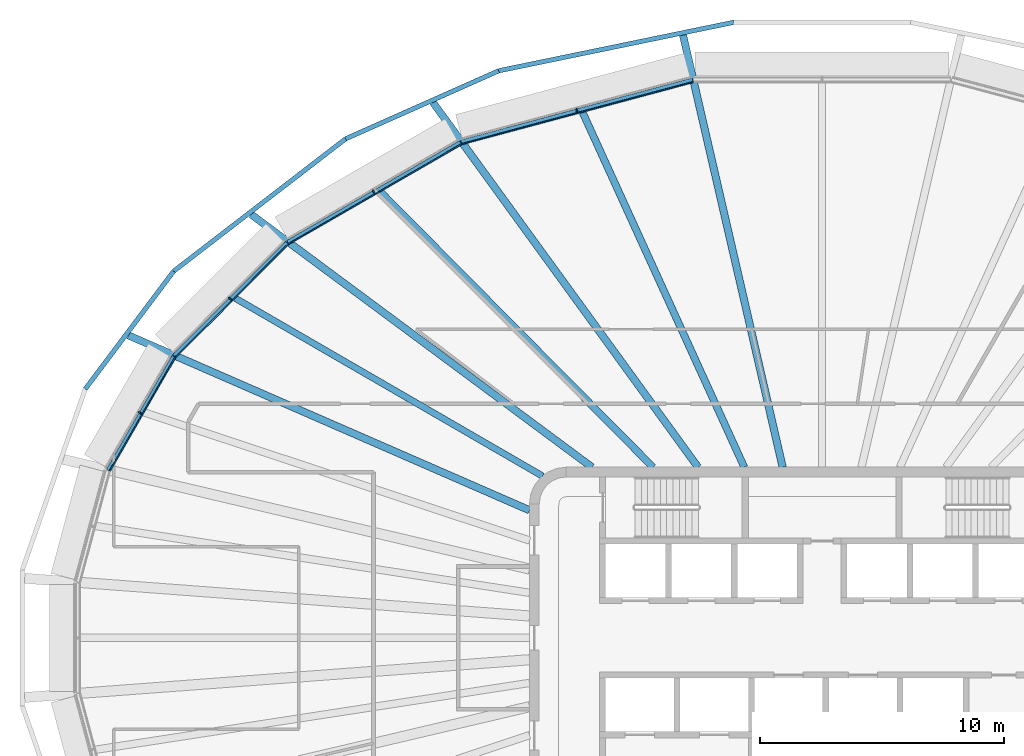
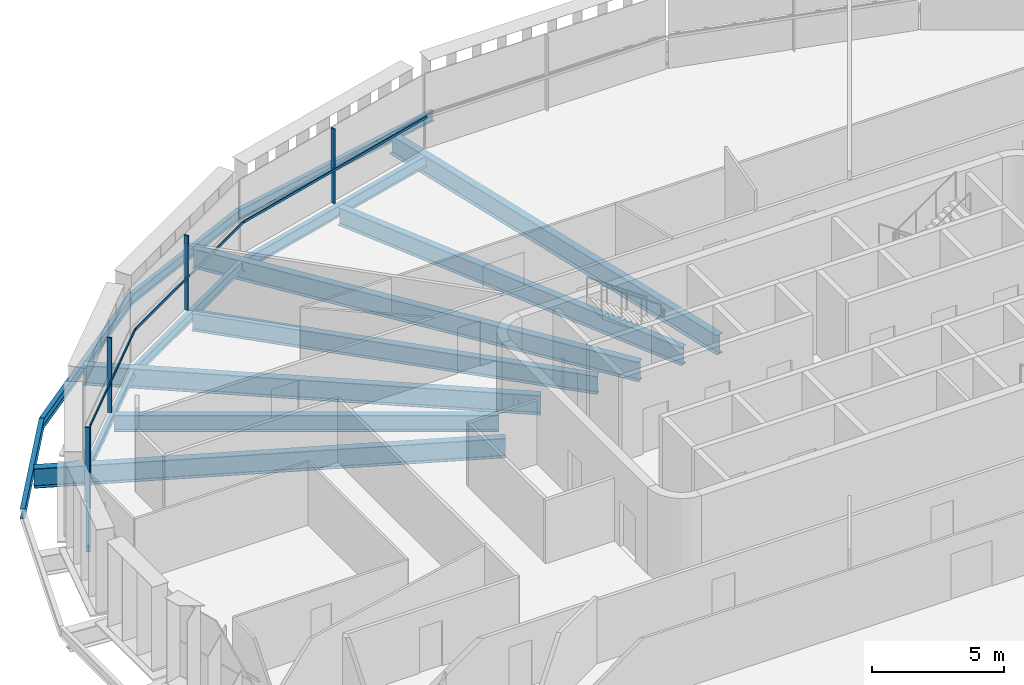
# One storey, part 5 of 20: 15 beams, 8 members, 4 elements without a shape of their own.
"""IFC4 building model written with IfcOpenShell, lengths in metres."""

from ifc_helpers import new_model, si_unit, direction, frame, origin, origin_2d, place, context, subcontext, project, spatial, rectangle, i_section, extrude, material, layer, layer_set, material_profile, profile_set, type_object, element, aggregate, save


model = new_model("IFC4")

# Units and contexts
model_context = context("Model", 3, precision=1e-05, world=origin(), true_north=direction((0.0, 1.0)))
body_context = subcontext(model_context, "Body", "Model", "MODEL_VIEW")
ifc_project = project(units=[si_unit("LENGTHUNIT", "METRE"), si_unit("AREAUNIT", "SQUARE_METRE"), si_unit("VOLUMEUNIT", "CUBIC_METRE"), si_unit("PLANEANGLEUNIT", "RADIAN"), si_unit("MASSUNIT", "GRAM", prefix="KILO")], contexts=[model_context])

# Site, building, storey
site_placement = place(None, origin())
site = spatial("IfcSite", under=ifc_project, at=site_placement, CompositionType="ELEMENT")
building_placement = place(site_placement, origin())
building = spatial("IfcBuilding", under=site, at=building_placement, Name="Sahrelin Media Tower", CompositionType="ELEMENT")
storey_placement = place(building_placement, frame((0.0, 0.0, 209.60009765625)))
storey = spatial("IfcBuildingStorey", under=building, at=storey_placement, Name="L44", CompositionType="ELEMENT", Elevation=209.60009765625)

# Beams
ifc_material_1 = material(Name="Steel S355", Category="steel")
ifc_material_profile_1 = material_profile(ifc_material_1, i_section(OverallWidth=0.1650390625, OverallDepth=0.303466796875, WebThickness=0.006103515625, FlangeThickness=0.01025390625, FilletRadius=0.0087890625, at=origin_2d()), Name="UB 305x165x40")
ifc_profile_set_1 = profile_set([ifc_material_profile_1], Name="Steel S355")
beam_type_1 = type_object("IfcBeamType", Name="Edge beam EB2", PredefinedType="BEAM", material=ifc_profile_set_1)
beam_1_placement = place(storey_placement, frame((-29.27783203125, 6.87548828125, -0.3017578125), z_axis=(0.500001105423, 0.866024765567, 0.0), x_axis=(-0.866024765567, 0.500001105423, 0.0)))
element("IfcBeam", 1, at=beam_1_placement, inside=storey, type_object=beam_type_1, Name="Edge beam L44-15", PredefinedType="BEAM", context=body_context, shape_type="SweptSolid", body=[
    extrude(i_section(OverallWidth=0.1650390625, OverallDepth=0.303466796875, WebThickness=0.006103515625, FlangeThickness=0.01025390625, FilletRadius=0.0087890625, at=origin_2d()), origin(), (0.0, 0.0, 1.0), 5.384765625),
])
ifc_material_profile_2 = material_profile(ifc_material_1, i_section(OverallWidth=0.17138671875, OverallDepth=0.35498046875, WebThickness=0.00732421875, FlangeThickness=0.011474609375, FilletRadius=0.01025390625, at=origin_2d()), Name="UB 356x171x51")
ifc_profile_set_2 = profile_set([ifc_material_profile_2], Name="Steel S355")
beam_type_2 = type_object("IfcBeamType", Name="Edge beam EB3", PredefinedType="BEAM", material=ifc_profile_set_2)
beam_2_placement = place(storey_placement, frame((-26.568115234375, 11.5615234375, -0.32763671875), z_axis=(0.707106781187, 0.707106781187, 0.0), x_axis=(-0.707106781187, 0.707106781187, 0.0)))
element("IfcBeam", 2, at=beam_2_placement, inside=storey, type_object=beam_type_2, Name="Edge beam L44-16", PredefinedType="BEAM", context=body_context, shape_type="SweptSolid", body=[
    extrude(i_section(OverallWidth=0.17138671875, OverallDepth=0.35498046875, WebThickness=0.00732421875, FlangeThickness=0.011474609375, FilletRadius=0.01025390625, at=origin_2d()), origin(), (0.0, 0.0, 1.0), 6.556396484375),
])
ifc_material_profile_3 = material_profile(ifc_material_1, i_section(OverallWidth=0.1904296875, OverallDepth=0.45703125, WebThickness=0.009033203125, FlangeThickness=0.014404296875, FilletRadius=0.01025390625, at=origin_2d()), Name="UB 457x191x74")
ifc_profile_set_3 = profile_set([ifc_material_profile_3], Name="Steel S355")
beam_type_3 = type_object("IfcBeamType", Name="Edge beam EB5", PredefinedType="BEAM", material=ifc_profile_set_3)
beam_3_placement = place(storey_placement, frame((-21.9091796875, 16.215087890625, -0.378662109375), z_axis=(0.86602319786, 0.500003820754, 0.0), x_axis=(-0.500003820754, 0.86602319786, 0.0)))
element("IfcBeam", 3, at=beam_3_placement, inside=storey, type_object=beam_type_3, Name="Edge beam L44-17", PredefinedType="BEAM", context=body_context, shape_type="SweptSolid", body=[
    extrude(i_section(OverallWidth=0.1904296875, OverallDepth=0.45703125, WebThickness=0.009033203125, FlangeThickness=0.014404296875, FilletRadius=0.01025390625, at=origin_2d()), origin(), (0.0, 0.0, 1.0), 8.18701171875),
])
ifc_material_profile_4 = material_profile(ifc_material_1, i_section(OverallWidth=0.208740234375, OverallDepth=0.5283203125, WebThickness=0.009521484375, FlangeThickness=0.01318359375, FilletRadius=0.0126953125, at=origin_2d()), Name="UB 533x210x82")
ifc_profile_set_4 = profile_set([ifc_material_profile_4], Name="Steel S355")
beam_type_4 = type_object("IfcBeamType", Name="Edge beam EB6", PredefinedType="BEAM", material=ifc_profile_set_4)
beam_4_placement = place(storey_placement, frame((-14.79248046875, 20.319580078125, -0.414306640625), z_axis=(0.965931078652, 0.258799442223, 0.0), x_axis=(-0.258799442223, 0.965931078652, 0.0)))
element("IfcBeam", 4, at=beam_4_placement, inside=storey, type_object=beam_type_4, Name="Edge beam L44-18", PredefinedType="BEAM", context=body_context, shape_type="SweptSolid", body=[
    extrude(i_section(OverallWidth=0.208740234375, OverallDepth=0.5283203125, WebThickness=0.009521484375, FlangeThickness=0.01318359375, FilletRadius=0.0126953125, at=origin_2d()), origin(), (0.0, 0.0, 1.0), 9.8232421875),
])

# Curtain wall, member
ifc_material_2 = material(Name="Champagne anodised aluminium 6063-T6", Category="aluminium")
ifc_layer = layer(ifc_material_2, 0.14990234375)
ifc_layer_set = layer_set([ifc_layer], Name="Tower ribbon curtain wall")
curtain_wall_type = type_object("IfcCurtainWallType", Name="Tower ribbon curtain wall", PredefinedType="NOTDEFINED", material=ifc_layer_set)
curtain_wall_1_placement = place(storey_placement, frame((-10.0869140625, 21.735595703125, 0.0), z_axis=(0.0, 0.0, 1.0), x_axis=(1.0, 0.0, 0.0)))
curtain_wall_1 = element("IfcCurtainWall", 5, at=curtain_wall_1_placement, inside=storey, type_object=curtain_wall_type, Name="L44:CW:L44-07", PredefinedType="NOTDEFINED")
ifc_material_profile_5 = material_profile(ifc_material_2, rectangle(XDim=0.06005859375, YDim=0.175048828125, at=origin_2d()), Name="Mullion 60x175")
ifc_profile_set_5 = profile_set([ifc_material_profile_5], Name="Champagne anodised aluminium 6063-T6")
member_type_1 = type_object("IfcMemberType", Name="Mullion 60x175 CW1B", PredefinedType="MULLION", material=ifc_profile_set_5)
member_1_placement = place(storey_placement, frame((-10.05908203125, 21.6318359375, 0.0), z_axis=(0.0, 0.0, 1.0), x_axis=(-0.965927633163, -0.258812301662, 0.0)))
member_1 = element("IfcMember", 6, at=member_1_placement, type_object=member_type_1, Name="L44:CWM:L44-07", PredefinedType="MULLION", context=body_context, shape_type="SweptSolid", body=[
    extrude(rectangle(XDim=0.06005859375, YDim=0.175048828125, at=origin_2d()), origin(), (0.0, 0.0, 1.0), 3.448486328125),
])

curtain_wall_2_placement = place(storey_placement, frame((-18.439208984375, 18.3916015625, 0.0), z_axis=(0.0, 0.0, 1.0), x_axis=(1.0, 0.0, 0.0)))
curtain_wall_2 = element("IfcCurtainWall", 7, at=curtain_wall_2_placement, inside=storey, type_object=curtain_wall_type, Name="L44:CW:L44-08", PredefinedType="NOTDEFINED")
member_2_placement = place(storey_placement, frame((-18.385498046875, 18.298583984375, 0.0), z_axis=(0.0, 0.0, 1.0), x_axis=(-0.86602365845, -0.500003022996, 0.0)))
member_2 = element("IfcMember", 8, at=member_2_placement, type_object=member_type_1, Name="L44:CWM:L44-08", PredefinedType="MULLION", context=body_context, shape_type="SweptSolid", body=[
    extrude(rectangle(XDim=0.06005859375, YDim=0.175048828125, at=origin_2d()), origin(), (0.0, 0.0, 1.0), 3.448486328125),
])

curtain_wall_3_placement = place(storey_placement, frame((-24.356201171875, 13.985595703125, 0.0), z_axis=(0.0, 0.0, 1.0), x_axis=(1.0, 0.0, 0.0)))
curtain_wall_3 = element("IfcCurtainWall", 9, at=curtain_wall_3_placement, inside=storey, type_object=curtain_wall_type, Name="L44:CW:L44-09", PredefinedType="NOTDEFINED")
member_3_placement = place(storey_placement, frame((-24.280029296875, 13.90966796875, 0.0), z_axis=(0.0, 0.0, 1.0), x_axis=(-0.707106781187, -0.707106781187, 0.0)))
member_3 = element("IfcMember", 10, at=member_3_placement, type_object=member_type_1, Name="L44:CWM:L44-09", PredefinedType="MULLION", context=body_context, shape_type="SweptSolid", body=[
    extrude(rectangle(XDim=0.06005859375, YDim=0.175048828125, at=origin_2d()), origin(), (0.0, 0.0, 1.0), 3.448486328125),
])

curtain_wall_4_placement = place(storey_placement, frame((-28.0615234375, 9.281982421875, 0.0), z_axis=(0.0, 0.0, 1.0), x_axis=(1.0, 0.0, 0.0)))
curtain_wall_4 = element("IfcCurtainWall", 11, at=curtain_wall_4_placement, inside=storey, type_object=curtain_wall_type, Name="L44:CW:L44-10", PredefinedType="NOTDEFINED")
member_4_placement = place(storey_placement, frame((-27.968505859375, 9.228271484375, 0.0), z_axis=(0.0, 0.0, 1.0), x_axis=(-0.500001511499, -0.866024531118, 0.0)))
member_4 = element("IfcMember", 12, at=member_4_placement, type_object=member_type_1, Name="L44:CWM:L44-10", PredefinedType="MULLION", context=body_context, shape_type="SweptSolid", body=[
    extrude(rectangle(XDim=0.06005859375, YDim=0.175048828125, at=origin_2d()), origin(), (0.0, 0.0, 1.0), 3.448486328125),
])

# Beams
ifc_material_profile_6 = material_profile(ifc_material_1, i_section(OverallWidth=0.30322265625, OverallDepth=0.903076171875, WebThickness=0.01513671875, FlangeThickness=0.020263671875, FilletRadius=0.01904296875, at=origin_2d()), Name="UB 914x305x201")
ifc_profile_set_6 = profile_set([ifc_material_profile_6], Name="Steel S355")
beam_type_5 = type_object("IfcBeamType", Name="Radial primary beam PB11", PredefinedType="BEAM", material=ifc_profile_set_6)
beam_5_placement = place(storey_placement, frame((-1.614990234375, 7.0, -0.6015625), z_axis=(-0.224784995262, 0.974408387641, 0.0), x_axis=(-0.974408387641, -0.224784995262, 0.0)))
element("IfcBeam", 13, at=beam_5_placement, inside=storey, type_object=beam_type_5, Name="Radial beam L44-07", PredefinedType="BEAM", context=body_context, shape_type="SweptSolid", body=[
    extrude(i_section(OverallWidth=0.30322265625, OverallDepth=0.903076171875, WebThickness=0.01513671875, FlangeThickness=0.020263671875, FilletRadius=0.01904296875, at=origin_2d()), origin(), (0.0, 0.0, 1.0), 18.186767578125),
])
beam_6_placement = place(storey_placement, frame((-5.086669921875, 7.0, -0.6015625), z_axis=(-0.587849769231, 0.808970116145, 0.0), x_axis=(-0.808970116145, -0.587849769231, 0.0)))
element("IfcBeam", 14, at=beam_6_placement, inside=storey, type_object=beam_type_5, Name="Radial beam L44-08", PredefinedType="BEAM", context=body_context, shape_type="SweptSolid", body=[
    extrude(i_section(OverallWidth=0.30322265625, OverallDepth=0.903076171875, WebThickness=0.01513671875, FlangeThickness=0.020263671875, FilletRadius=0.01904296875, at=origin_2d()), origin(), (0.0, 0.0, 1.0), 18.490478515625),
])
beam_7_placement = place(storey_placement, frame((-9.437744140625, 7.0, -0.6015625), z_axis=(-0.803188973655, 0.595724326009, 0.0), x_axis=(-0.595724326009, -0.803188973655, 0.0)))
element("IfcBeam", 15, at=beam_7_placement, inside=storey, type_object=beam_type_5, Name="Radial beam L44-09", PredefinedType="BEAM", context=body_context, shape_type="SweptSolid", body=[
    extrude(i_section(OverallWidth=0.30322265625, OverallDepth=0.903076171875, WebThickness=0.01513671875, FlangeThickness=0.020263671875, FilletRadius=0.01904296875, at=origin_2d()), origin(), (0.0, 0.0, 1.0), 17.40234375),
])
beam_8_placement = place(storey_placement, frame((-12.0, 5.2333984375, -0.6015625), z_axis=(-0.91662503757, 0.399748096305, 0.0), x_axis=(-0.399748096305, -0.91662503757, 0.0)))
element("IfcBeam", 16, at=beam_8_placement, inside=storey, type_object=beam_type_5, Name="Radial beam L44-10", PredefinedType="BEAM", context=body_context, shape_type="SweptSolid", body=[
    extrude(i_section(OverallWidth=0.30322265625, OverallDepth=0.903076171875, WebThickness=0.01513671875, FlangeThickness=0.020263671875, FilletRadius=0.01904296875, at=origin_2d()), origin(), (0.0, 0.0, 1.0), 17.946533203125),
])
ifc_material_profile_7 = material_profile(ifc_material_1, i_section(OverallWidth=0.291748046875, OverallDepth=0.8349609375, WebThickness=0.013916015625, FlangeThickness=0.018798828125, FilletRadius=0.017822265625, at=origin_2d()), Name="UB 838x292x176")
ifc_profile_set_7 = profile_set([ifc_material_profile_7], Name="Steel S355")
beam_type_6 = type_object("IfcBeamType", Name="Radial secondary beam SB10", PredefinedType="BEAM", material=ifc_profile_set_7)
beam_9_placement = place(storey_placement, frame((-3.189697265625, 7.0, -0.567626953125), z_axis=(-0.414662432786, 0.909975311113, 0.0), x_axis=(-0.909975311113, -0.414662432786, 0.0)))
element("IfcBeam", 17, at=beam_9_placement, inside=storey, type_object=beam_type_6, Name="Secondary beam L44-07", PredefinedType="BEAM", context=body_context, shape_type="SweptSolid", body=[
    extrude(i_section(OverallWidth=0.291748046875, OverallDepth=0.8349609375, WebThickness=0.013916015625, FlangeThickness=0.018798828125, FilletRadius=0.017822265625, at=origin_2d()), origin(), (0.0, 0.0, 1.0), 15.9833984375),
])
beam_10_placement = place(storey_placement, frame((-6.931884765625, 7.0, -0.567626953125), z_axis=(-0.703642558186, 0.710554114976, 0.0), x_axis=(-0.710554114976, -0.703642558186, 0.0)))
element("IfcBeam", 18, at=beam_10_placement, inside=storey, type_object=beam_type_6, Name="Secondary beam L44-08", PredefinedType="BEAM", context=body_context, shape_type="SweptSolid", body=[
    extrude(i_section(OverallWidth=0.291748046875, OverallDepth=0.8349609375, WebThickness=0.013916015625, FlangeThickness=0.018798828125, FilletRadius=0.017822265625, at=origin_2d()), origin(), (0.0, 0.0, 1.0), 15.8955078125),
])
ifc_material_profile_8 = material_profile(ifc_material_1, i_section(OverallWidth=0.26513671875, OverallDepth=0.75390625, WebThickness=0.0126953125, FlangeThickness=0.017578125, FilletRadius=0.0166015625, at=origin_2d()), Name="UB 762x267x147")
ifc_profile_set_8 = profile_set([ifc_material_profile_8], Name="Steel S355")
beam_type_7 = type_object("IfcBeamType", Name="Radial secondary beam SB9", PredefinedType="BEAM", material=ifc_profile_set_8)
beam_11_placement = place(storey_placement, frame((-11.46337890625, 6.63525390625, -0.527099609375), z_axis=(-0.865468345638, 0.500963614146, 0.0), x_axis=(-0.500963614146, -0.865468345638, 0.0)))
element("IfcBeam", 19, at=beam_11_placement, inside=storey, type_object=beam_type_7, Name="Secondary beam L44-09", PredefinedType="BEAM", context=body_context, shape_type="SweptSolid", body=[
    extrude(i_section(OverallWidth=0.26513671875, OverallDepth=0.75390625, WebThickness=0.0126953125, FlangeThickness=0.017578125, FilletRadius=0.0166015625, at=origin_2d()), origin(), (0.0, 0.0, 1.0), 14.570556640625),
])
ifc_material_profile_9 = material_profile(ifc_material_1, i_section(OverallWidth=0.1904296875, OverallDepth=0.45703125, WebThickness=0.009033203125, FlangeThickness=0.014404296875, FilletRadius=0.01025390625, at=origin_2d()), Name="UB 457x191x74")
ifc_profile_set_9 = profile_set([ifc_material_profile_9], Name="Steel S355")
beam_type_8 = type_object("IfcBeamType", Name="Tie chord TC5", PredefinedType="BEAM", material=ifc_profile_set_9)
beam_12_placement = place(storey_placement, frame((-3.62451171875, 25.247314453125, -0.378662109375), z_axis=(-0.979384484627, -0.202005027836, 0.0), x_axis=(0.202005027836, -0.979384484627, 0.0)))
element("IfcBeam", 20, at=beam_12_placement, inside=storey, type_object=beam_type_8, Name="Tie chord L44-07", PredefinedType="BEAM", context=body_context, shape_type="SweptSolid", body=[
    extrude(i_section(OverallWidth=0.1904296875, OverallDepth=0.45703125, WebThickness=0.009033203125, FlangeThickness=0.014404296875, FilletRadius=0.01025390625, at=origin_2d()), origin(), (0.0, 0.0, 1.0), 9.84033203125),
])
beam_13_placement = place(storey_placement, frame((-13.261962890625, 23.259521484375, -0.378662109375), z_axis=(-0.913837926838, -0.406079109869, 0.0), x_axis=(0.406079109869, -0.913837926838, 0.0)))
element("IfcBeam", 21, at=beam_13_placement, inside=storey, type_object=beam_type_8, Name="Tie chord L44-08", PredefinedType="BEAM", context=body_context, shape_type="SweptSolid", body=[
    extrude(i_section(OverallWidth=0.1904296875, OverallDepth=0.45703125, WebThickness=0.009033203125, FlangeThickness=0.014404296875, FilletRadius=0.01025390625, at=origin_2d()), origin(), (0.0, 0.0, 1.0), 6.869384765625),
])
beam_14_placement = place(storey_placement, frame((-19.53955078125, 20.469970703125, -0.378662109375), z_axis=(-0.792451681615, -0.609934695116, 0.0), x_axis=(0.609934695116, -0.792451681615, 0.0)))
element("IfcBeam", 22, at=beam_14_placement, inside=storey, type_object=beam_type_8, Name="Tie chord L44-09", PredefinedType="BEAM", context=body_context, shape_type="SweptSolid", body=[
    extrude(i_section(OverallWidth=0.1904296875, OverallDepth=0.45703125, WebThickness=0.009033203125, FlangeThickness=0.014404296875, FilletRadius=0.01025390625, at=origin_2d()), origin(), (0.0, 0.0, 1.0), 8.9033203125),
])
beam_15_placement = place(storey_placement, frame((-26.594970703125, 15.03955078125, -0.378662109375), z_axis=(-0.600045270222, -0.799966045332, 0.0), x_axis=(0.799966045332, -0.600045270222, 0.0)))
element("IfcBeam", 23, at=beam_15_placement, inside=storey, type_object=beam_type_8, Name="Tie chord L44-10", PredefinedType="BEAM", context=body_context, shape_type="SweptSolid", body=[
    extrude(i_section(OverallWidth=0.1904296875, OverallDepth=0.45703125, WebThickness=0.009033203125, FlangeThickness=0.014404296875, FilletRadius=0.01025390625, at=origin_2d()), origin(), (0.0, 0.0, 1.0), 6.0400390625),
])

# Member
ifc_material_profile_10 = material_profile(ifc_material_2, rectangle(XDim=0.050048828125, YDim=0.110107421875, at=origin_2d()), Name="Transom 50x110")
ifc_profile_set_10 = profile_set([ifc_material_profile_10], Name="Champagne anodised aluminium 6063-T6")
member_type_2 = type_object("IfcMemberType", Name="Transom 50x110 CW1B", PredefinedType="USERDEFINED", material=ifc_profile_set_10)
member_5_placement = place(storey_placement, frame((-5.301025390625, 22.790283203125, 1.599853515625), z_axis=(-0.965929688703, -0.258804629946, 0.0), x_axis=(0.258804629946, -0.965929688703, 0.0)))
member_5 = element("IfcMember", 24, at=member_5_placement, type_object=member_type_2, Name="L44:CWT:L44-07", ObjectType="TRANSOM", PredefinedType="USERDEFINED", context=body_context, shape_type="SweptSolid", body=[
    extrude(rectangle(XDim=0.050048828125, YDim=0.110107421875, at=origin_2d()), origin(), (0.0, 0.0, 1.0), 9.791748046875),
])

aggregate(curtain_wall_1, [member_1, member_5])

member_6_placement = place(storey_placement, frame((-14.797607421875, 20.239990234375, 1.599853515625), z_axis=(-0.866035038465, -0.499983311872, 0.0), x_axis=(0.499983311872, -0.866035038465, 0.0)))
member_6 = element("IfcMember", 25, at=member_6_placement, type_object=member_type_2, Name="L44:CWT:L44-08", ObjectType="TRANSOM", PredefinedType="USERDEFINED", context=body_context, shape_type="SweptSolid", body=[
    extrude(rectangle(XDim=0.050048828125, YDim=0.110107421875, at=origin_2d()), origin(), (0.0, 0.0, 1.0), 8.155517578125),
])

aggregate(curtain_wall_2, [member_2, member_6])

member_7_placement = place(storey_placement, frame((-21.893798828125, 16.136962890625, 1.599853515625), z_axis=(-0.707088071936, -0.707125489942, 0.0), x_axis=(0.707125489942, -0.707088071936, 0.0)))
member_7 = element("IfcMember", 26, at=member_7_placement, type_object=member_type_2, Name="L44:CWT:L44-09", ObjectType="TRANSOM", PredefinedType="USERDEFINED", context=body_context, shape_type="SweptSolid", body=[
    extrude(rectangle(XDim=0.050048828125, YDim=0.110107421875, at=origin_2d()), origin(), (0.0, 0.0, 1.0), 6.524658203125),
])

aggregate(curtain_wall_3, [member_3, member_7])

member_8_placement = place(storey_placement, frame((-26.53271484375, 11.489990234375, 1.599853515625), z_axis=(-0.500023797175, -0.866011664043, 0.0), x_axis=(0.866011664043, -0.500023797175, 0.0)))
member_8 = element("IfcMember", 27, at=member_8_placement, type_object=member_type_2, Name="L44:CWT:L44-10", ObjectType="TRANSOM", PredefinedType="USERDEFINED", context=body_context, shape_type="SweptSolid", body=[
    extrude(rectangle(XDim=0.050048828125, YDim=0.110107421875, at=origin_2d()), origin(), (0.0, 0.0, 1.0), 5.353271484375),
])

aggregate(curtain_wall_4, [member_4, member_8])

save(model, "model.ifc")
